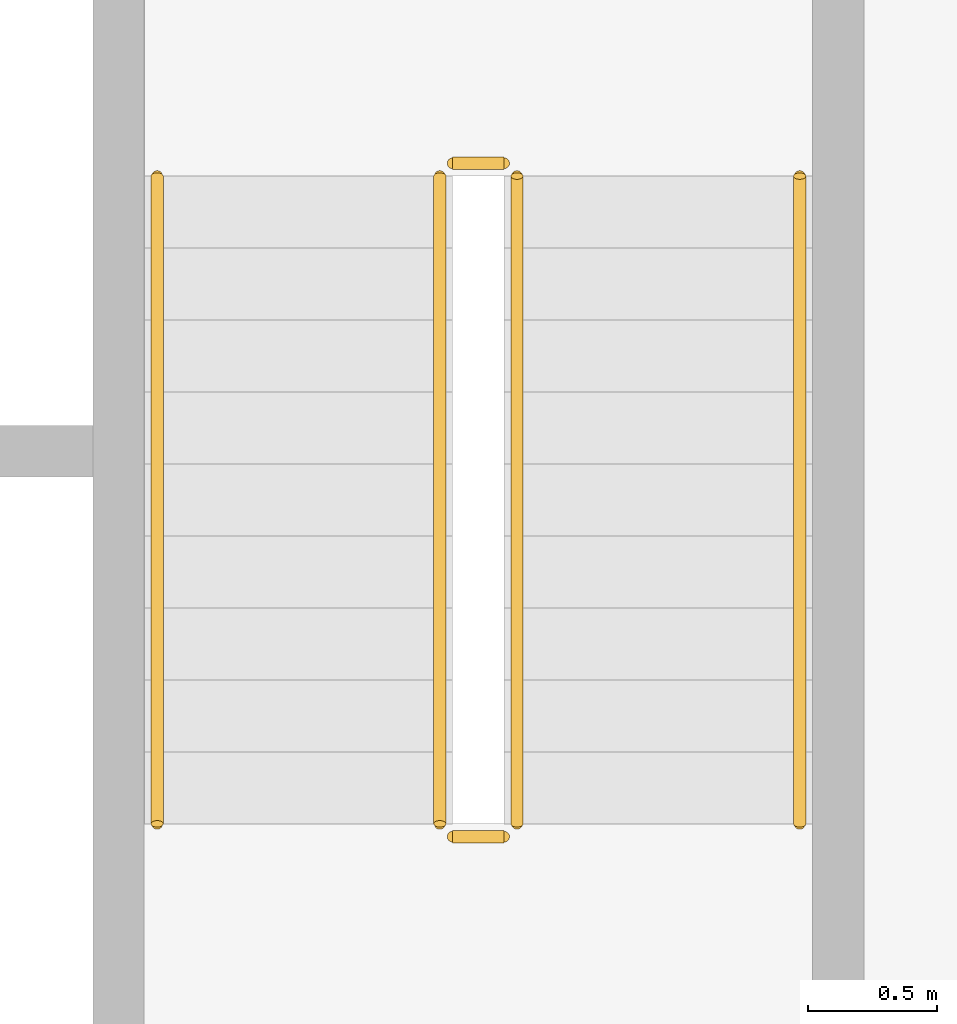
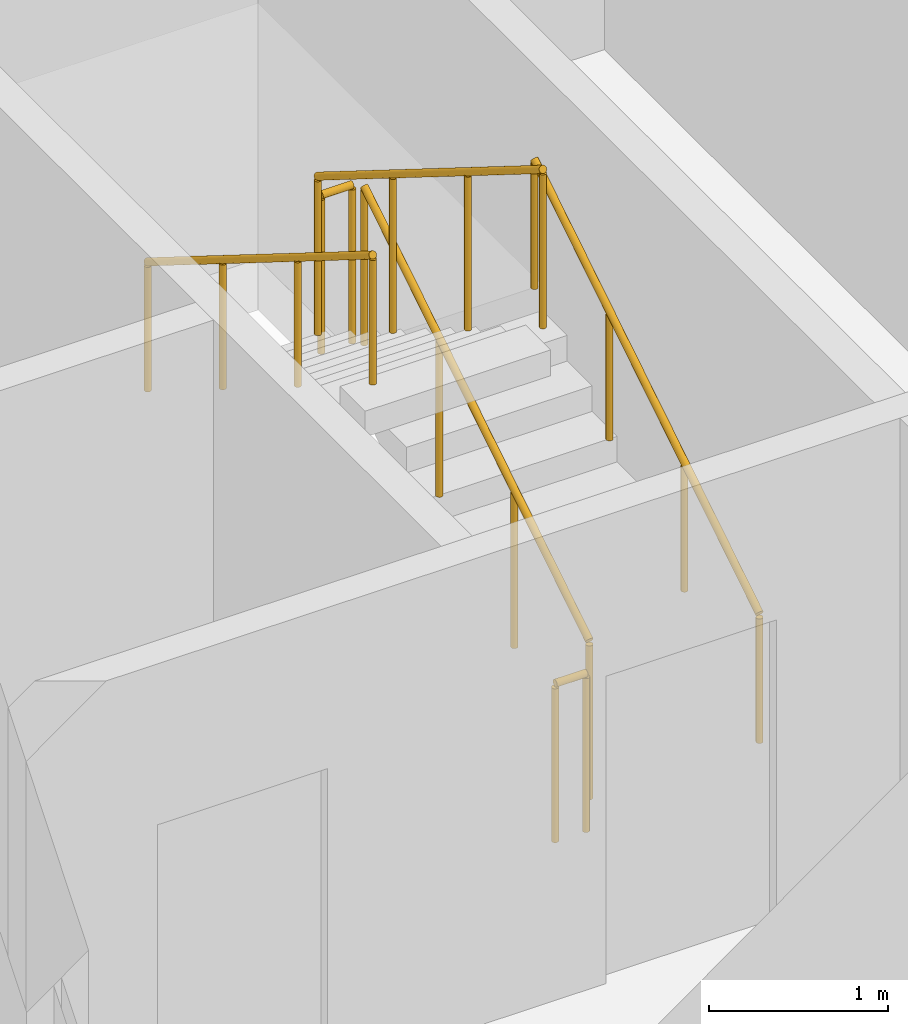
# One storey, part 16 of 21: 6 railings.
"""IFC4 building model written with IfcOpenShell, lengths in metres."""

from ifc_helpers import new_model, si_unit, direction, frame, origin, origin_2d, place, context, subcontext, project, spatial, circle, extrude, material, type_object, element, save


model = new_model("IFC4")

# Units and contexts
model_context = context("Model", 3, precision=1e-05, world=origin(), true_north=direction((0.0, 1.0)))
body_context = subcontext(model_context, "Body", "Model", "MODEL_VIEW")
ifc_project = project(units=[si_unit("LENGTHUNIT", "METRE"), si_unit("AREAUNIT", "SQUARE_METRE"), si_unit("VOLUMEUNIT", "CUBIC_METRE"), si_unit("PLANEANGLEUNIT", "RADIAN"), si_unit("MASSUNIT", "GRAM", prefix="KILO")], contexts=[model_context])

# Site, building, storey
site_placement = place(None, origin())
site = spatial("IfcSite", under=ifc_project, at=site_placement, CompositionType="ELEMENT")
building_placement = place(site_placement, origin())
building = spatial("IfcBuilding", under=site, at=building_placement, Name="Kiln Ring Residences", CompositionType="ELEMENT")
storey_placement = place(building_placement, frame((0.0, 0.0, 30.5)))
storey = spatial("IfcBuildingStorey", under=building, at=storey_placement, Name="L06", CompositionType="ELEMENT", Elevation=30.5)

# Railings
ifc_material_1 = material(Name="Stainless steel", Category="steel")
railing_type_1 = type_object("IfcRailingType", Name="CORE-STAIR-GUARD", PredefinedType="GUARDRAIL", material=ifc_material_1)
railing_1_placement = place(storey_placement, frame((22.25, -8.39990234375, 0.175048828125)))
element("IfcRailing", 1, at=railing_1_placement, inside=storey, type_object=railing_type_1, Name="L06 E-STS stair guard 1", PredefinedType="GUARDRAIL", context=body_context, shape_type="SweptSolid", body=[
    extrude(circle(Radius=0.02392578125, at=origin_2d()), frame((0.0, 0.0, 1.076171875), z_axis=(0.0, 0.848007534815, 0.529984170421), x_axis=(-1.0, 0.0, 0.0)), (0.0, 0.0, 1.0), 2.9716796875),
    extrude(circle(Radius=0.02099609375, at=origin_2d()), origin(), (0.0, 0.0, 1.0), 1.052001953125),
    extrude(circle(Radius=0.02099609375, at=origin_2d()), frame((0.0, 0.840087890625, 0.52490234375)), (0.0, 0.0, 1.0), 1.052001953125),
    extrude(circle(Radius=0.02099609375, at=origin_2d()), frame((0.0, 1.679931640625, 1.050048828125)), (0.0, 0.0, 1.0), 1.052001953125),
    extrude(circle(Radius=0.02099609375, at=origin_2d()), frame((0.0, 2.52001953125, 1.574951171875)), (0.0, 0.0, 1.0), 1.052001953125),
])
railing_2_placement = place(storey_placement, frame((22.199951171875, -5.830078125, 1.75)))
element("IfcRailing", 2, at=railing_2_placement, inside=storey, type_object=railing_type_1, Name="L06 E-STS stair guard 2", PredefinedType="GUARDRAIL", context=body_context, shape_type="SweptSolid", body=[
    extrude(circle(Radius=0.02392578125, at=origin_2d()), frame((0.0, 0.0, 1.076171875), z_axis=(-1.0, 0.0, 0.0), x_axis=(0.0, -1.0, 0.0)), (0.0, 0.0, 1.0), 0.199951171875),
    extrude(circle(Radius=0.02099609375, at=origin_2d()), origin(), (0.0, 0.0, 1.0), 1.052001953125),
    extrude(circle(Radius=0.02099609375, at=origin_2d()), frame((-0.199951171875, 0.0, 0.0)), (0.0, 0.0, 1.0), 1.052001953125),
])
railing_3_placement = place(storey_placement, frame((21.949951171875, -5.8798828125, 1.925048828125)))
element("IfcRailing", 3, at=railing_3_placement, inside=storey, type_object=railing_type_1, Name="L06 E-STS stair guard 3", PredefinedType="GUARDRAIL", context=body_context, shape_type="SweptSolid", body=[
    extrude(circle(Radius=0.02392578125, at=origin_2d()), frame((0.0, 0.0, 1.076171875), z_axis=(0.0, -0.848007534815, 0.529984170421), x_axis=(1.0, 0.0, 0.0)), (0.0, 0.0, 1.0), 2.9716796875),
    extrude(circle(Radius=0.02099609375, at=origin_2d()), origin(), (0.0, 0.0, 1.0), 1.052001953125),
    extrude(circle(Radius=0.02099609375, at=origin_2d()), frame((0.0, -0.840087890625, 0.52490234375)), (0.0, 0.0, 1.0), 1.052001953125),
    extrude(circle(Radius=0.02099609375, at=origin_2d()), frame((0.0, -1.679931640625, 1.050048828125)), (0.0, 0.0, 1.0), 1.052001953125),
    extrude(circle(Radius=0.02099609375, at=origin_2d()), frame((0.0, -2.52001953125, 1.574951171875)), (0.0, 0.0, 1.0), 1.052001953125),
])
railing_4_placement = place(storey_placement, frame((22.199951171875, -8.449951171875, 0.0)))
element("IfcRailing", 4, at=railing_4_placement, inside=storey, type_object=railing_type_1, Name="L06 E-STS stair guard 4", PredefinedType="GUARDRAIL", context=body_context, shape_type="SweptSolid", body=[
    extrude(circle(Radius=0.02392578125, at=origin_2d()), frame((0.0, 0.0, 1.076171875), z_axis=(-1.0, 0.0, 0.0), x_axis=(0.0, -1.0, 0.0)), (0.0, 0.0, 1.0), 0.199951171875),
    extrude(circle(Radius=0.02099609375, at=origin_2d()), origin(), (0.0, 0.0, 1.0), 1.052001953125),
    extrude(circle(Radius=0.02099609375, at=origin_2d()), frame((-0.199951171875, 0.0, 0.0)), (0.0, 0.0, 1.0), 1.052001953125),
])
ifc_material_2 = material(Name="Stainless steel", Category="steel")
railing_type_2 = type_object("IfcRailingType", Name="CORE-STAIR-HANDRAIL", PredefinedType="HANDRAIL", material=ifc_material_2)
railing_5_placement = place(storey_placement, frame((23.35009765625, -8.39990234375, 0.175048828125)))
element("IfcRailing", 5, at=railing_5_placement, inside=storey, type_object=railing_type_2, Name="L06 E-STS stair handrail 1", PredefinedType="HANDRAIL", context=body_context, shape_type="SweptSolid", body=[
    extrude(circle(Radius=0.02392578125, at=origin_2d()), frame((0.0, 0.0, 0.8759765625), z_axis=(0.0, 0.848007534815, 0.529984170421), x_axis=(-1.0, 0.0, 0.0)), (0.0, 0.0, 1.0), 2.9716796875),
    extrude(circle(Radius=0.02099609375, at=origin_2d()), origin(), (0.0, 0.0, 1.0), 0.851806640625),
    extrude(circle(Radius=0.02099609375, at=origin_2d()), frame((0.0, 0.840087890625, 0.52490234375)), (0.0, 0.0, 1.0), 0.851806640625),
    extrude(circle(Radius=0.02099609375, at=origin_2d()), frame((0.0, 1.679931640625, 1.050048828125)), (0.0, 0.0, 1.0), 0.851806640625),
    extrude(circle(Radius=0.02099609375, at=origin_2d()), frame((0.0, 2.52001953125, 1.574951171875)), (0.0, 0.0, 1.0), 0.851806640625),
])
railing_6_placement = place(storey_placement, frame((20.85009765625, -5.8798828125, 1.925048828125)))
element("IfcRailing", 6, at=railing_6_placement, inside=storey, type_object=railing_type_2, Name="L06 E-STS stair handrail 2", PredefinedType="HANDRAIL", context=body_context, shape_type="SweptSolid", body=[
    extrude(circle(Radius=0.02392578125, at=origin_2d()), frame((0.0, 0.0, 0.8759765625), z_axis=(0.0, -0.848007534815, 0.529984170421), x_axis=(1.0, 0.0, 0.0)), (0.0, 0.0, 1.0), 2.9716796875),
    extrude(circle(Radius=0.02099609375, at=origin_2d()), origin(), (0.0, 0.0, 1.0), 0.851806640625),
    extrude(circle(Radius=0.02099609375, at=origin_2d()), frame((0.0, -0.840087890625, 0.52490234375)), (0.0, 0.0, 1.0), 0.851806640625),
    extrude(circle(Radius=0.02099609375, at=origin_2d()), frame((0.0, -1.679931640625, 1.050048828125)), (0.0, 0.0, 1.0), 0.851806640625),
    extrude(circle(Radius=0.02099609375, at=origin_2d()), frame((0.0, -2.52001953125, 1.574951171875)), (0.0, 0.0, 1.0), 0.851806640625),
])

save(model, "model.ifc")
